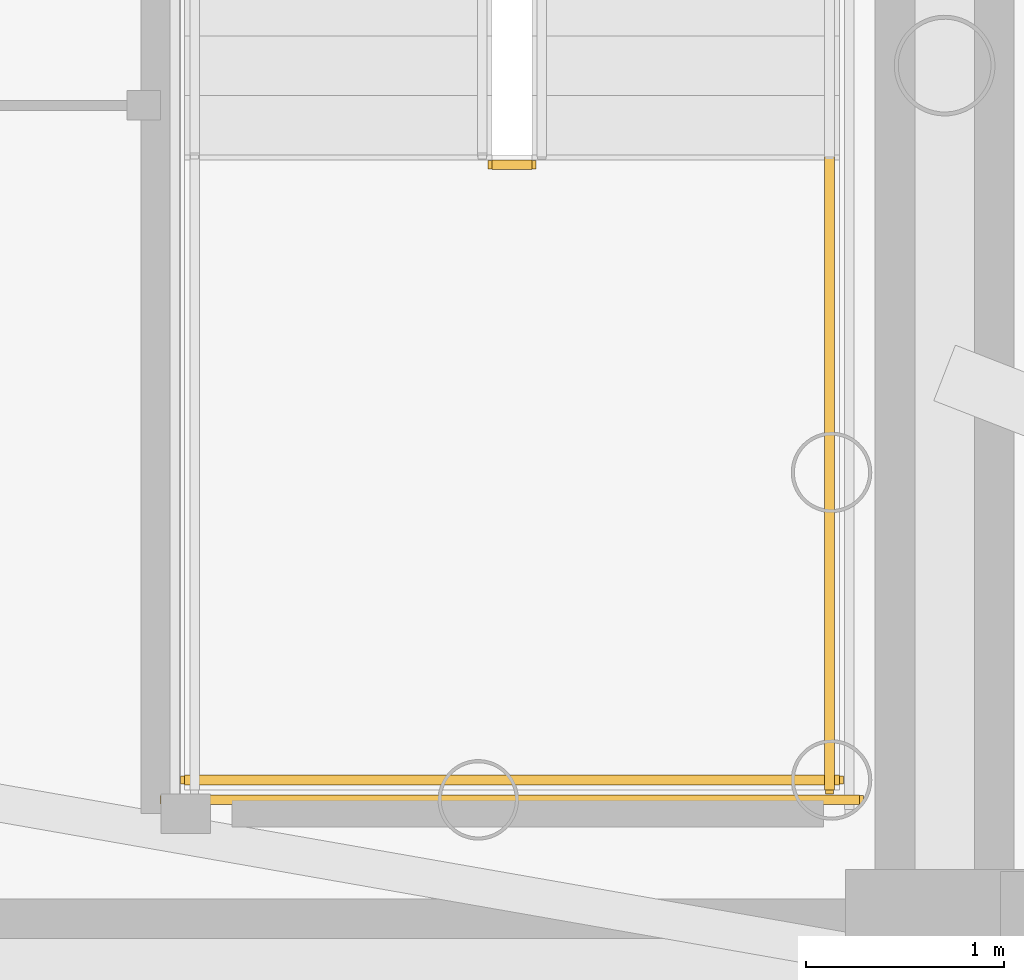
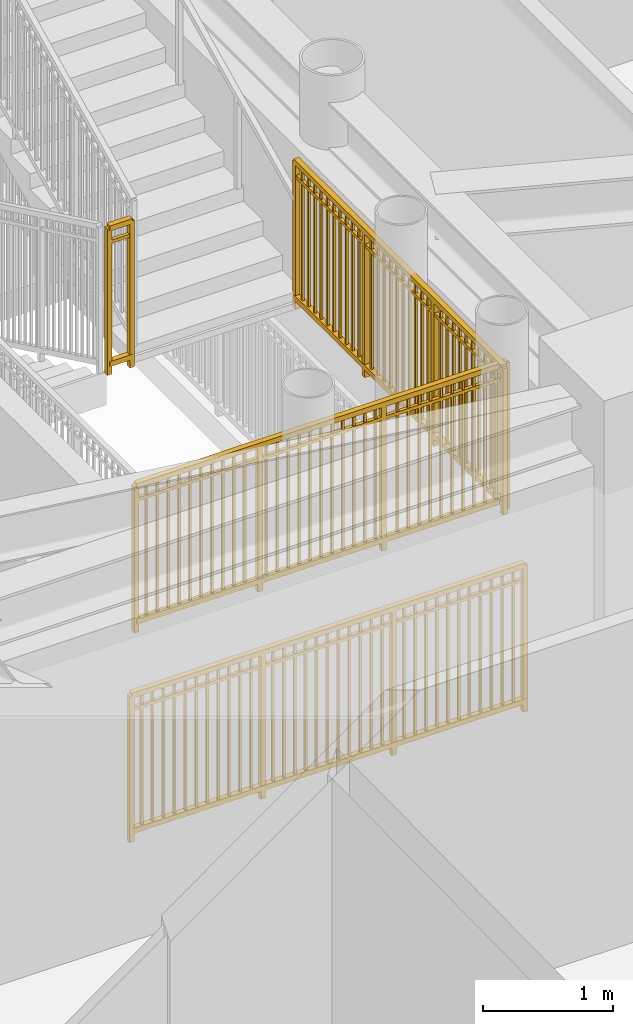
# One storey, part 13 of 18: 4 railings.
"""IFC4 building model written with IfcOpenShell, lengths in metres."""

from ifc_helpers import new_model, si_unit, direction, frame, origin, origin_2d, place, context, subcontext, project, spatial, rectangle, extrude, source, transform, mapped, material, type_object, element, save


model = new_model("IFC4")

# Units and contexts
model_context = context("Model", 3, precision=1e-05, world=origin(), true_north=direction((0.0, 1.0)))
body_context = subcontext(model_context, "Body", "Model", "MODEL_VIEW")
ifc_project = project(units=[si_unit("LENGTHUNIT", "METRE"), si_unit("AREAUNIT", "SQUARE_METRE"), si_unit("VOLUMEUNIT", "CUBIC_METRE"), si_unit("PLANEANGLEUNIT", "RADIAN"), si_unit("MASSUNIT", "GRAM", prefix="KILO")], contexts=[model_context])

# Site, building, storey
site_placement = place(None, origin())
site = spatial("IfcSite", under=ifc_project, at=site_placement, CompositionType="ELEMENT")
building_placement = place(site_placement, origin())
building = spatial("IfcBuilding", under=site, at=building_placement, Name="Linh Dai School and Residence Tower", CompositionType="ELEMENT")
storey_placement = place(building_placement, frame((0.0, 0.0, 273.0)))
storey = spatial("IfcBuildingStorey", under=building, at=storey_placement, Name="L67", CompositionType="ELEMENT", Elevation=273.0)

# Railings
ifc_material = material(Name="Structural Steel S355JR", Category="steel")
railing_type = type_object("IfcRailingType", Name="RL-ST-GUARD-1400", PredefinedType="GUARDRAIL", material=ifc_material)
shared_shape_1 = source(origin(), body_context, "Body", "SweptSolid", [
    extrude(rectangle(XDim=0.048095703125, YDim=0.048095703125, at=origin_2d()), frame((0.0, 0.0, 1.3759765625), z_axis=(1.0, 0.0, 0.0), x_axis=(0.0, 1.0, 0.0)), (0.0, 0.0, 1.0), 0.199951171875),
    extrude(rectangle(XDim=0.048095703125, YDim=0.048095703125, at=origin_2d()), frame((0.0, 0.0, 0.10009765625), z_axis=(1.0, 0.0, 0.0), x_axis=(0.0, 1.0, 0.0)), (0.0, 0.0, 1.0), 0.199951171875),
    extrude(rectangle(XDim=0.030029296875, YDim=0.030029296875, at=origin_2d()), frame((0.0, 0.0, 1.239990234375), z_axis=(1.0, 0.0, 0.0), x_axis=(0.0, 1.0, 0.0)), (0.0, 0.0, 1.0), 0.199951171875),
    extrude(rectangle(XDim=0.0419921875, YDim=0.0419921875, at=origin_2d()), origin(), (0.0, 0.0, 1.0), 1.3759765625),
    extrude(rectangle(XDim=0.0419921875, YDim=0.0419921875, at=origin_2d()), frame((0.199951171875, 0.0, 0.0)), (0.0, 0.0, 1.0), 1.3759765625),
])
railing_1_placement = place(storey_placement, frame((42.570068359375, 24.60009765625, 1.875)))
element("IfcRailing", 1, at=railing_1_placement, inside=storey, type_object=railing_type, Name="L67 ST2 stair guard 2", PredefinedType="GUARDRAIL", context=body_context, shape_type="MappedRepresentation", body=[
    mapped(shared_shape_1, transform((0.0, 0.0, 0.0), x_axis=(1.0, 0.0, 0.0), y_axis=(0.0, 1.0, 0.0), z_axis=(0.0, 0.0, 1.0), scale=1.0)),
])
shared_shape_2 = source(origin(), body_context, "Body", "SweptSolid", [
    extrude(rectangle(XDim=0.048095703125, YDim=0.048095703125, at=origin_2d()), frame((0.0, 0.0, 1.3759765625), z_axis=(1.0, 0.0, 0.0), x_axis=(0.0, 1.0, 0.0)), (0.0, 0.0, 1.0), 3.300048828125),
    extrude(rectangle(XDim=0.048095703125, YDim=0.048095703125, at=origin_2d()), frame((0.0, 0.0, 0.10009765625), z_axis=(1.0, 0.0, 0.0), x_axis=(0.0, 1.0, 0.0)), (0.0, 0.0, 1.0), 3.300048828125),
    extrude(rectangle(XDim=0.030029296875, YDim=0.030029296875, at=origin_2d()), frame((0.0, 0.0, 1.239990234375), z_axis=(1.0, 0.0, 0.0), x_axis=(0.0, 1.0, 0.0)), (0.0, 0.0, 1.0), 3.300048828125),
    extrude(rectangle(XDim=0.02001953125, YDim=0.02001953125, at=origin_2d()), frame((0.09716796875, 0.0, 0.10009765625)), (0.0, 0.0, 1.0), 1.251708984375),
    extrude(rectangle(XDim=0.02001953125, YDim=0.02001953125, at=origin_2d()), frame((0.194091796875, 0.0, 0.10009765625)), (0.0, 0.0, 1.0), 1.251708984375),
    extrude(rectangle(XDim=0.02001953125, YDim=0.02001953125, at=origin_2d()), frame((0.291259765625, 0.0, 0.10009765625)), (0.0, 0.0, 1.0), 1.251708984375),
    extrude(rectangle(XDim=0.02001953125, YDim=0.02001953125, at=origin_2d()), frame((0.38818359375, 0.0, 0.10009765625)), (0.0, 0.0, 1.0), 1.251708984375),
    extrude(rectangle(XDim=0.02001953125, YDim=0.02001953125, at=origin_2d()), frame((0.4853515625, 0.0, 0.10009765625)), (0.0, 0.0, 1.0), 1.251708984375),
    extrude(rectangle(XDim=0.02001953125, YDim=0.02001953125, at=origin_2d()), frame((0.582275390625, 0.0, 0.10009765625)), (0.0, 0.0, 1.0), 1.251708984375),
    extrude(rectangle(XDim=0.02001953125, YDim=0.02001953125, at=origin_2d()), frame((0.679443359375, 0.0, 0.10009765625)), (0.0, 0.0, 1.0), 1.251708984375),
    extrude(rectangle(XDim=0.02001953125, YDim=0.02001953125, at=origin_2d()), frame((0.7763671875, 0.0, 0.10009765625)), (0.0, 0.0, 1.0), 1.251708984375),
    extrude(rectangle(XDim=0.02001953125, YDim=0.02001953125, at=origin_2d()), frame((0.87353515625, 0.0, 0.10009765625)), (0.0, 0.0, 1.0), 1.251708984375),
    extrude(rectangle(XDim=0.02001953125, YDim=0.02001953125, at=origin_2d()), frame((0.970703125, 0.0, 0.10009765625)), (0.0, 0.0, 1.0), 1.251708984375),
    extrude(rectangle(XDim=0.02001953125, YDim=0.02001953125, at=origin_2d()), frame((1.164794921875, 0.0, 0.10009765625)), (0.0, 0.0, 1.0), 1.251708984375),
    extrude(rectangle(XDim=0.02001953125, YDim=0.02001953125, at=origin_2d()), frame((1.26171875, 0.0, 0.10009765625)), (0.0, 0.0, 1.0), 1.251708984375),
    extrude(rectangle(XDim=0.02001953125, YDim=0.02001953125, at=origin_2d()), frame((1.35888671875, 0.0, 0.10009765625)), (0.0, 0.0, 1.0), 1.251708984375),
    extrude(rectangle(XDim=0.02001953125, YDim=0.02001953125, at=origin_2d()), frame((1.455810546875, 0.0, 0.10009765625)), (0.0, 0.0, 1.0), 1.251708984375),
    extrude(rectangle(XDim=0.02001953125, YDim=0.02001953125, at=origin_2d()), frame((1.552978515625, 0.0, 0.10009765625)), (0.0, 0.0, 1.0), 1.251708984375),
    extrude(rectangle(XDim=0.02001953125, YDim=0.02001953125, at=origin_2d()), frame((1.64990234375, 0.0, 0.10009765625)), (0.0, 0.0, 1.0), 1.251708984375),
    extrude(rectangle(XDim=0.02001953125, YDim=0.02001953125, at=origin_2d()), frame((1.7470703125, 0.0, 0.10009765625)), (0.0, 0.0, 1.0), 1.251708984375),
    extrude(rectangle(XDim=0.02001953125, YDim=0.02001953125, at=origin_2d()), frame((1.84423828125, 0.0, 0.10009765625)), (0.0, 0.0, 1.0), 1.251708984375),
    extrude(rectangle(XDim=0.02001953125, YDim=0.02001953125, at=origin_2d()), frame((1.941162109375, 0.0, 0.10009765625)), (0.0, 0.0, 1.0), 1.251708984375),
    extrude(rectangle(XDim=0.02001953125, YDim=0.02001953125, at=origin_2d()), frame((2.038330078125, 0.0, 0.10009765625)), (0.0, 0.0, 1.0), 1.251708984375),
    extrude(rectangle(XDim=0.02001953125, YDim=0.02001953125, at=origin_2d()), frame((2.13525390625, 0.0, 0.10009765625)), (0.0, 0.0, 1.0), 1.251708984375),
    extrude(rectangle(XDim=0.02001953125, YDim=0.02001953125, at=origin_2d()), frame((2.329345703125, 0.0, 0.10009765625)), (0.0, 0.0, 1.0), 1.251708984375),
    extrude(rectangle(XDim=0.02001953125, YDim=0.02001953125, at=origin_2d()), frame((2.426513671875, 0.0, 0.10009765625)), (0.0, 0.0, 1.0), 1.251708984375),
    extrude(rectangle(XDim=0.02001953125, YDim=0.02001953125, at=origin_2d()), frame((2.523681640625, 0.0, 0.10009765625)), (0.0, 0.0, 1.0), 1.251708984375),
    extrude(rectangle(XDim=0.02001953125, YDim=0.02001953125, at=origin_2d()), frame((2.62060546875, 0.0, 0.10009765625)), (0.0, 0.0, 1.0), 1.251708984375),
    extrude(rectangle(XDim=0.02001953125, YDim=0.02001953125, at=origin_2d()), frame((2.7177734375, 0.0, 0.10009765625)), (0.0, 0.0, 1.0), 1.251708984375),
    extrude(rectangle(XDim=0.02001953125, YDim=0.02001953125, at=origin_2d()), frame((2.814697265625, 0.0, 0.10009765625)), (0.0, 0.0, 1.0), 1.251708984375),
    extrude(rectangle(XDim=0.02001953125, YDim=0.02001953125, at=origin_2d()), frame((2.911865234375, 0.0, 0.10009765625)), (0.0, 0.0, 1.0), 1.251708984375),
    extrude(rectangle(XDim=0.02001953125, YDim=0.02001953125, at=origin_2d()), frame((3.0087890625, 0.0, 0.10009765625)), (0.0, 0.0, 1.0), 1.251708984375),
    extrude(rectangle(XDim=0.02001953125, YDim=0.02001953125, at=origin_2d()), frame((3.10595703125, 0.0, 0.10009765625)), (0.0, 0.0, 1.0), 1.251708984375),
    extrude(rectangle(XDim=0.02001953125, YDim=0.02001953125, at=origin_2d()), frame((3.202880859375, 0.0, 0.10009765625)), (0.0, 0.0, 1.0), 1.251708984375),
    extrude(rectangle(XDim=0.0419921875, YDim=0.0419921875, at=origin_2d()), origin(), (0.0, 0.0, 1.0), 1.3759765625),
    extrude(rectangle(XDim=0.0419921875, YDim=0.0419921875, at=origin_2d()), frame((1.10009765625, 0.0, 0.0)), (0.0, 0.0, 1.0), 1.3759765625),
    extrude(rectangle(XDim=0.0419921875, YDim=0.0419921875, at=origin_2d()), frame((2.199951171875, 0.0, 0.0)), (0.0, 0.0, 1.0), 1.3759765625),
    extrude(rectangle(XDim=0.0419921875, YDim=0.0419921875, at=origin_2d()), frame((3.300048828125, 0.0, 0.0)), (0.0, 0.0, 1.0), 1.3759765625),
])
railing_2_placement = place(storey_placement, frame((41.02001953125, 21.5, 1.875)))
element("IfcRailing", 2, at=railing_2_placement, inside=storey, type_object=railing_type, Name="L67 ST2 stair guard 5", PredefinedType="GUARDRAIL", context=body_context, shape_type="MappedRepresentation", body=[
    mapped(shared_shape_2, transform((0.0, 0.0, 0.0), x_axis=(1.0, 0.0, 0.0), y_axis=(0.0, 1.0, 0.0), z_axis=(0.0, 0.0, 1.0), scale=1.0)),
])
shared_shape_3 = source(origin(), body_context, "Body", "SweptSolid", [
    extrude(rectangle(XDim=0.048095703125, YDim=0.048095703125, at=origin_2d()), frame((0.0, 0.0, 1.3759765625), z_axis=(1.0, 0.0, 0.0), x_axis=(0.0, 1.0, 0.0)), (0.0, 0.0, 1.0), 3.5),
    extrude(rectangle(XDim=0.048095703125, YDim=0.048095703125, at=origin_2d()), frame((0.0, 0.0, 0.10009765625), z_axis=(1.0, 0.0, 0.0), x_axis=(0.0, 1.0, 0.0)), (0.0, 0.0, 1.0), 3.5),
    extrude(rectangle(XDim=0.030029296875, YDim=0.030029296875, at=origin_2d()), frame((0.0, 0.0, 1.239990234375), z_axis=(1.0, 0.0, 0.0), x_axis=(0.0, 1.0, 0.0)), (0.0, 0.0, 1.0), 3.5),
    extrude(rectangle(XDim=0.02001953125, YDim=0.02001953125, at=origin_2d()), frame((0.09716796875, 0.0, 0.10009765625)), (0.0, 0.0, 1.0), 1.251708984375),
    extrude(rectangle(XDim=0.02001953125, YDim=0.02001953125, at=origin_2d()), frame((0.1943359375, 0.0, 0.10009765625)), (0.0, 0.0, 1.0), 1.251708984375),
    extrude(rectangle(XDim=0.02001953125, YDim=0.02001953125, at=origin_2d()), frame((0.291748046875, 0.0, 0.10009765625)), (0.0, 0.0, 1.0), 1.251708984375),
    extrude(rectangle(XDim=0.02001953125, YDim=0.02001953125, at=origin_2d()), frame((0.388916015625, 0.0, 0.10009765625)), (0.0, 0.0, 1.0), 1.251708984375),
    extrude(rectangle(XDim=0.02001953125, YDim=0.02001953125, at=origin_2d()), frame((0.486083984375, 0.0, 0.10009765625)), (0.0, 0.0, 1.0), 1.251708984375),
    extrude(rectangle(XDim=0.02001953125, YDim=0.02001953125, at=origin_2d()), frame((0.583251953125, 0.0, 0.10009765625)), (0.0, 0.0, 1.0), 1.251708984375),
    extrude(rectangle(XDim=0.02001953125, YDim=0.02001953125, at=origin_2d()), frame((0.6806640625, 0.0, 0.10009765625)), (0.0, 0.0, 1.0), 1.251708984375),
    extrude(rectangle(XDim=0.02001953125, YDim=0.02001953125, at=origin_2d()), frame((0.77783203125, 0.0, 0.10009765625)), (0.0, 0.0, 1.0), 1.251708984375),
    extrude(rectangle(XDim=0.02001953125, YDim=0.02001953125, at=origin_2d()), frame((0.875, 0.0, 0.10009765625)), (0.0, 0.0, 1.0), 1.251708984375),
    extrude(rectangle(XDim=0.02001953125, YDim=0.02001953125, at=origin_2d()), frame((0.97216796875, 0.0, 0.10009765625)), (0.0, 0.0, 1.0), 1.251708984375),
    extrude(rectangle(XDim=0.02001953125, YDim=0.02001953125, at=origin_2d()), frame((1.0693359375, 0.0, 0.10009765625)), (0.0, 0.0, 1.0), 1.251708984375),
    extrude(rectangle(XDim=0.02001953125, YDim=0.02001953125, at=origin_2d()), frame((1.263916015625, 0.0, 0.10009765625)), (0.0, 0.0, 1.0), 1.251708984375),
    extrude(rectangle(XDim=0.02001953125, YDim=0.02001953125, at=origin_2d()), frame((1.361083984375, 0.0, 0.10009765625)), (0.0, 0.0, 1.0), 1.251708984375),
    extrude(rectangle(XDim=0.02001953125, YDim=0.02001953125, at=origin_2d()), frame((1.458251953125, 0.0, 0.10009765625)), (0.0, 0.0, 1.0), 1.251708984375),
    extrude(rectangle(XDim=0.02001953125, YDim=0.02001953125, at=origin_2d()), frame((1.5556640625, 0.0, 0.10009765625)), (0.0, 0.0, 1.0), 1.251708984375),
    extrude(rectangle(XDim=0.02001953125, YDim=0.02001953125, at=origin_2d()), frame((1.65283203125, 0.0, 0.10009765625)), (0.0, 0.0, 1.0), 1.251708984375),
    extrude(rectangle(XDim=0.02001953125, YDim=0.02001953125, at=origin_2d()), frame((1.75, 0.0, 0.10009765625)), (0.0, 0.0, 1.0), 1.251708984375),
    extrude(rectangle(XDim=0.02001953125, YDim=0.02001953125, at=origin_2d()), frame((1.84716796875, 0.0, 0.10009765625)), (0.0, 0.0, 1.0), 1.251708984375),
    extrude(rectangle(XDim=0.02001953125, YDim=0.02001953125, at=origin_2d()), frame((1.9443359375, 0.0, 0.10009765625)), (0.0, 0.0, 1.0), 1.251708984375),
    extrude(rectangle(XDim=0.02001953125, YDim=0.02001953125, at=origin_2d()), frame((2.041748046875, 0.0, 0.10009765625)), (0.0, 0.0, 1.0), 1.251708984375),
    extrude(rectangle(XDim=0.02001953125, YDim=0.02001953125, at=origin_2d()), frame((2.138916015625, 0.0, 0.10009765625)), (0.0, 0.0, 1.0), 1.251708984375),
    extrude(rectangle(XDim=0.02001953125, YDim=0.02001953125, at=origin_2d()), frame((2.236083984375, 0.0, 0.10009765625)), (0.0, 0.0, 1.0), 1.251708984375),
    extrude(rectangle(XDim=0.02001953125, YDim=0.02001953125, at=origin_2d()), frame((2.4306640625, 0.0, 0.10009765625)), (0.0, 0.0, 1.0), 1.251708984375),
    extrude(rectangle(XDim=0.02001953125, YDim=0.02001953125, at=origin_2d()), frame((2.52783203125, 0.0, 0.10009765625)), (0.0, 0.0, 1.0), 1.251708984375),
    extrude(rectangle(XDim=0.02001953125, YDim=0.02001953125, at=origin_2d()), frame((2.625, 0.0, 0.10009765625)), (0.0, 0.0, 1.0), 1.251708984375),
    extrude(rectangle(XDim=0.02001953125, YDim=0.02001953125, at=origin_2d()), frame((2.72216796875, 0.0, 0.10009765625)), (0.0, 0.0, 1.0), 1.251708984375),
    extrude(rectangle(XDim=0.02001953125, YDim=0.02001953125, at=origin_2d()), frame((2.8193359375, 0.0, 0.10009765625)), (0.0, 0.0, 1.0), 1.251708984375),
    extrude(rectangle(XDim=0.02001953125, YDim=0.02001953125, at=origin_2d()), frame((2.916748046875, 0.0, 0.10009765625)), (0.0, 0.0, 1.0), 1.251708984375),
    extrude(rectangle(XDim=0.02001953125, YDim=0.02001953125, at=origin_2d()), frame((3.013916015625, 0.0, 0.10009765625)), (0.0, 0.0, 1.0), 1.251708984375),
    extrude(rectangle(XDim=0.02001953125, YDim=0.02001953125, at=origin_2d()), frame((3.111083984375, 0.0, 0.10009765625)), (0.0, 0.0, 1.0), 1.251708984375),
    extrude(rectangle(XDim=0.02001953125, YDim=0.02001953125, at=origin_2d()), frame((3.208251953125, 0.0, 0.10009765625)), (0.0, 0.0, 1.0), 1.251708984375),
    extrude(rectangle(XDim=0.02001953125, YDim=0.02001953125, at=origin_2d()), frame((3.3056640625, 0.0, 0.10009765625)), (0.0, 0.0, 1.0), 1.251708984375),
    extrude(rectangle(XDim=0.02001953125, YDim=0.02001953125, at=origin_2d()), frame((3.40283203125, 0.0, 0.10009765625)), (0.0, 0.0, 1.0), 1.251708984375),
    extrude(rectangle(XDim=0.0419921875, YDim=0.0419921875, at=origin_2d()), origin(), (0.0, 0.0, 1.0), 1.3759765625),
    extrude(rectangle(XDim=0.0419921875, YDim=0.0419921875, at=origin_2d()), frame((1.166748046875, 0.0, 0.0)), (0.0, 0.0, 1.0), 1.3759765625),
    extrude(rectangle(XDim=0.0419921875, YDim=0.0419921875, at=origin_2d()), frame((2.333251953125, 0.0, 0.0)), (0.0, 0.0, 1.0), 1.3759765625),
    extrude(rectangle(XDim=0.0419921875, YDim=0.0419921875, at=origin_2d()), frame((3.5, 0.0, 0.0)), (0.0, 0.0, 1.0), 1.3759765625),
])
railing_3_placement = place(storey_placement, frame((40.919921875, 21.39990234375, 0.0)))
element("IfcRailing", 3, at=railing_3_placement, inside=storey, type_object=railing_type, Name="L67 ST2 stair guard 12", PredefinedType="GUARDRAIL", context=body_context, shape_type="MappedRepresentation", body=[
    mapped(shared_shape_3, transform((0.0, 0.0, 0.0), x_axis=(1.0, 0.0, 0.0), y_axis=(0.0, 1.0, 0.0), z_axis=(0.0, 0.0, 1.0), scale=1.0)),
])
shared_shape_4 = source(origin(), body_context, "Body", "SweptSolid", [
    extrude(rectangle(XDim=0.048095703125, YDim=0.048095703125, at=origin_2d()), frame((0.0, 0.0, 1.3759765625), z_axis=(0.0, -1.0, 0.0), x_axis=(1.0, 0.0, 0.0)), (0.0, 0.0, 1.0), 3.199951171875),
    extrude(rectangle(XDim=0.048095703125, YDim=0.048095703125, at=origin_2d()), frame((0.0, 0.0, 0.10009765625), z_axis=(0.0, -1.0, 0.0), x_axis=(1.0, 0.0, 0.0)), (0.0, 0.0, 1.0), 3.199951171875),
    extrude(rectangle(XDim=0.030029296875, YDim=0.030029296875, at=origin_2d()), frame((0.0, 0.0, 1.239990234375), z_axis=(0.0, -1.0, 0.0), x_axis=(1.0, 0.0, 0.0)), (0.0, 0.0, 1.0), 3.199951171875),
    extrude(rectangle(XDim=0.02001953125, YDim=0.02001953125, at=origin_2d()), frame((0.0, -0.096923828125, 0.10009765625)), (0.0, 0.0, 1.0), 1.251708984375),
    extrude(rectangle(XDim=0.02001953125, YDim=0.02001953125, at=origin_2d()), frame((0.0, -0.19384765625, 0.10009765625)), (0.0, 0.0, 1.0), 1.251708984375),
    extrude(rectangle(XDim=0.02001953125, YDim=0.02001953125, at=origin_2d()), frame((0.0, -0.291015625, 0.10009765625)), (0.0, 0.0, 1.0), 1.251708984375),
    extrude(rectangle(XDim=0.02001953125, YDim=0.02001953125, at=origin_2d()), frame((0.0, -0.387939453125, 0.10009765625)), (0.0, 0.0, 1.0), 1.251708984375),
    extrude(rectangle(XDim=0.02001953125, YDim=0.02001953125, at=origin_2d()), frame((0.0, -0.48486328125, 0.10009765625)), (0.0, 0.0, 1.0), 1.251708984375),
    extrude(rectangle(XDim=0.02001953125, YDim=0.02001953125, at=origin_2d()), frame((0.0, -0.581787109375, 0.10009765625)), (0.0, 0.0, 1.0), 1.251708984375),
    extrude(rectangle(XDim=0.02001953125, YDim=0.02001953125, at=origin_2d()), frame((0.0, -0.6787109375, 0.10009765625)), (0.0, 0.0, 1.0), 1.251708984375),
    extrude(rectangle(XDim=0.02001953125, YDim=0.02001953125, at=origin_2d()), frame((0.0, -0.775634765625, 0.10009765625)), (0.0, 0.0, 1.0), 1.251708984375),
    extrude(rectangle(XDim=0.02001953125, YDim=0.02001953125, at=origin_2d()), frame((0.0, -0.872802734375, 0.10009765625)), (0.0, 0.0, 1.0), 1.251708984375),
    extrude(rectangle(XDim=0.02001953125, YDim=0.02001953125, at=origin_2d()), frame((0.0, -0.9697265625, 0.10009765625)), (0.0, 0.0, 1.0), 1.251708984375),
    extrude(rectangle(XDim=0.02001953125, YDim=0.02001953125, at=origin_2d()), frame((0.0, -1.16357421875, 0.10009765625)), (0.0, 0.0, 1.0), 1.251708984375),
    extrude(rectangle(XDim=0.02001953125, YDim=0.02001953125, at=origin_2d()), frame((0.0, -1.260498046875, 0.10009765625)), (0.0, 0.0, 1.0), 1.251708984375),
    extrude(rectangle(XDim=0.02001953125, YDim=0.02001953125, at=origin_2d()), frame((0.0, -1.357666015625, 0.10009765625)), (0.0, 0.0, 1.0), 1.251708984375),
    extrude(rectangle(XDim=0.02001953125, YDim=0.02001953125, at=origin_2d()), frame((0.0, -1.45458984375, 0.10009765625)), (0.0, 0.0, 1.0), 1.251708984375),
    extrude(rectangle(XDim=0.02001953125, YDim=0.02001953125, at=origin_2d()), frame((0.0, -1.551513671875, 0.10009765625)), (0.0, 0.0, 1.0), 1.251708984375),
    extrude(rectangle(XDim=0.02001953125, YDim=0.02001953125, at=origin_2d()), frame((0.0, -1.6484375, 0.10009765625)), (0.0, 0.0, 1.0), 1.251708984375),
    extrude(rectangle(XDim=0.02001953125, YDim=0.02001953125, at=origin_2d()), frame((0.0, -1.745361328125, 0.10009765625)), (0.0, 0.0, 1.0), 1.251708984375),
    extrude(rectangle(XDim=0.02001953125, YDim=0.02001953125, at=origin_2d()), frame((0.0, -1.84228515625, 0.10009765625)), (0.0, 0.0, 1.0), 1.251708984375),
    extrude(rectangle(XDim=0.02001953125, YDim=0.02001953125, at=origin_2d()), frame((0.0, -1.939453125, 0.10009765625)), (0.0, 0.0, 1.0), 1.251708984375),
    extrude(rectangle(XDim=0.02001953125, YDim=0.02001953125, at=origin_2d()), frame((0.0, -2.036376953125, 0.10009765625)), (0.0, 0.0, 1.0), 1.251708984375),
    extrude(rectangle(XDim=0.02001953125, YDim=0.02001953125, at=origin_2d()), frame((0.0, -2.230224609375, 0.10009765625)), (0.0, 0.0, 1.0), 1.251708984375),
    extrude(rectangle(XDim=0.02001953125, YDim=0.02001953125, at=origin_2d()), frame((0.0, -2.3271484375, 0.10009765625)), (0.0, 0.0, 1.0), 1.251708984375),
    extrude(rectangle(XDim=0.02001953125, YDim=0.02001953125, at=origin_2d()), frame((0.0, -2.42431640625, 0.10009765625)), (0.0, 0.0, 1.0), 1.251708984375),
    extrude(rectangle(XDim=0.02001953125, YDim=0.02001953125, at=origin_2d()), frame((0.0, -2.521240234375, 0.10009765625)), (0.0, 0.0, 1.0), 1.251708984375),
    extrude(rectangle(XDim=0.02001953125, YDim=0.02001953125, at=origin_2d()), frame((0.0, -2.6181640625, 0.10009765625)), (0.0, 0.0, 1.0), 1.251708984375),
    extrude(rectangle(XDim=0.02001953125, YDim=0.02001953125, at=origin_2d()), frame((0.0, -2.715087890625, 0.10009765625)), (0.0, 0.0, 1.0), 1.251708984375),
    extrude(rectangle(XDim=0.02001953125, YDim=0.02001953125, at=origin_2d()), frame((0.0, -2.81201171875, 0.10009765625)), (0.0, 0.0, 1.0), 1.251708984375),
    extrude(rectangle(XDim=0.02001953125, YDim=0.02001953125, at=origin_2d()), frame((0.0, -2.908935546875, 0.10009765625)), (0.0, 0.0, 1.0), 1.251708984375),
    extrude(rectangle(XDim=0.02001953125, YDim=0.02001953125, at=origin_2d()), frame((0.0, -3.006103515625, 0.10009765625)), (0.0, 0.0, 1.0), 1.251708984375),
    extrude(rectangle(XDim=0.02001953125, YDim=0.02001953125, at=origin_2d()), frame((0.0, -3.10302734375, 0.10009765625)), (0.0, 0.0, 1.0), 1.251708984375),
    extrude(rectangle(XDim=0.0419921875, YDim=0.0419921875, at=origin_2d()), origin(), (0.0, 0.0, 1.0), 1.3759765625),
    extrude(rectangle(XDim=0.0419921875, YDim=0.0419921875, at=origin_2d()), frame((0.0, -1.066650390625, 0.0)), (0.0, 0.0, 1.0), 1.3759765625),
    extrude(rectangle(XDim=0.0419921875, YDim=0.0419921875, at=origin_2d()), frame((0.0, -2.13330078125, 0.0)), (0.0, 0.0, 1.0), 1.3759765625),
    extrude(rectangle(XDim=0.0419921875, YDim=0.0419921875, at=origin_2d()), frame((0.0, -3.199951171875, 0.0)), (0.0, 0.0, 1.0), 1.3759765625),
])
railing_4_placement = place(storey_placement, frame((44.27001953125, 24.64990234375, 1.875)))
element("IfcRailing", 4, at=railing_4_placement, inside=storey, type_object=railing_type, Name="L67 ST2 stair guard 4", PredefinedType="GUARDRAIL", context=body_context, shape_type="MappedRepresentation", body=[
    mapped(shared_shape_4, transform((0.0, 0.0, 0.0), x_axis=(1.0, 0.0, 0.0), y_axis=(0.0, 1.0, 0.0), z_axis=(0.0, 0.0, 1.0), scale=1.0)),
])

save(model, "model.ifc")
